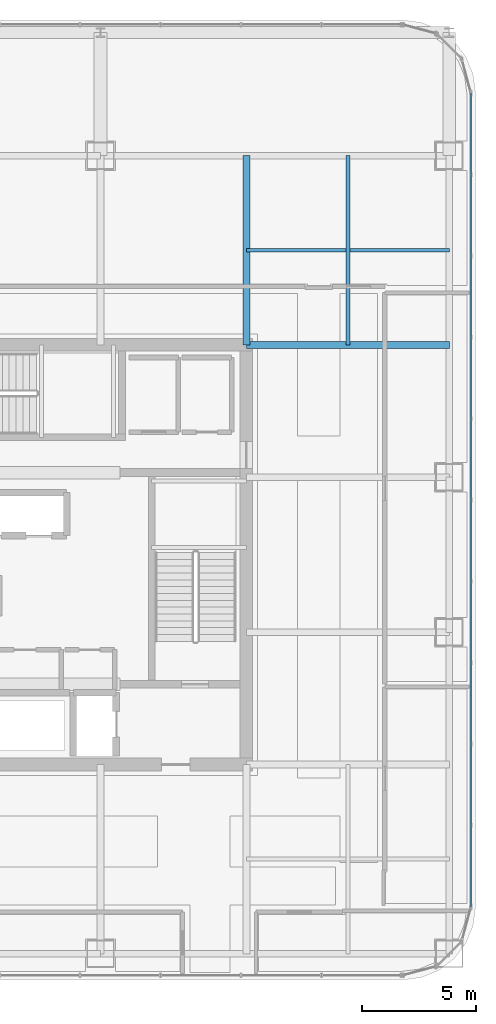
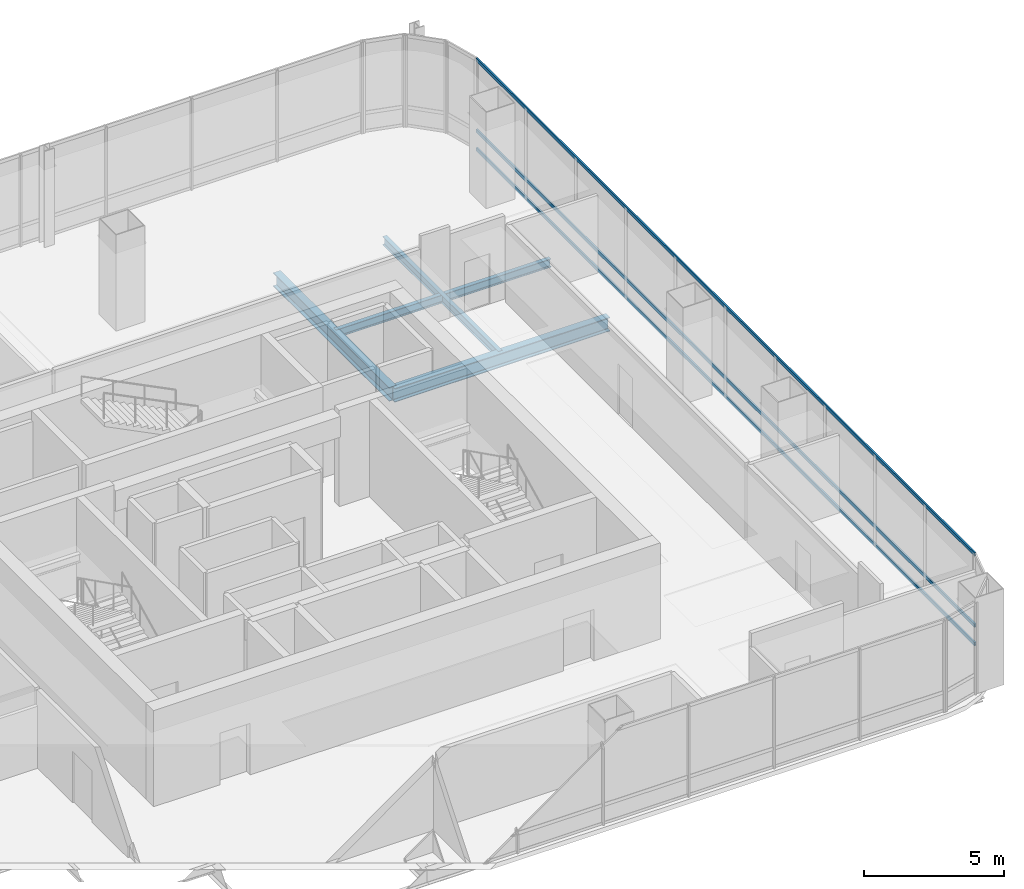
# One storey, part 19 of 41: 4 beams, 3 members, 1 element without a shape of its own.
"""IFC4 building model written with IfcOpenShell, lengths in metres."""

from ifc_helpers import new_model, si_unit, direction, frame, origin, origin_2d, place, context, subcontext, project, spatial, hollow_rectangle, i_section, extrude, material, material_profile, profile_set, type_object, element, aggregate, save


model = new_model("IFC4")

# Units and contexts
model_context = context("Model", 3, precision=1e-05, world=origin(), true_north=direction((0.0, 1.0)))
body_context = subcontext(model_context, "Body", "Model", "MODEL_VIEW")
ifc_project = project(units=[si_unit("LENGTHUNIT", "METRE"), si_unit("AREAUNIT", "SQUARE_METRE"), si_unit("VOLUMEUNIT", "CUBIC_METRE"), si_unit("PLANEANGLEUNIT", "RADIAN"), si_unit("MASSUNIT", "GRAM", prefix="KILO")], contexts=[model_context])

# Site, building, storey
site_placement = place(None, origin())
site = spatial("IfcSite", under=ifc_project, at=site_placement, CompositionType="ELEMENT")
building_placement = place(site_placement, origin())
building = spatial("IfcBuilding", under=site, at=building_placement, Name="Punatoya Terracotta Tower", CompositionType="ELEMENT")
storey_placement = place(building_placement, frame((0.0, 0.0, 309.0)))
storey = spatial("IfcBuildingStorey", under=building, at=storey_placement, Name="L73", CompositionType="ELEMENT", Elevation=309.0)

# Beams
ifc_material_1 = material(Name="Steel S355", Category="steel")
ifc_material_profile_1 = material_profile(ifc_material_1, i_section(OverallWidth=0.300048828125, OverallDepth=0.60009765625, WebThickness=0.015380859375, FlangeThickness=0.030029296875, FilletRadius=0.01806640625, at=origin_2d()))
ifc_profile_set_1 = profile_set([ifc_material_profile_1], Name="Steel S355")
beam_type_1 = type_object("IfcBeamType", Name="BM-PRI-600", PredefinedType="BEAM", material=ifc_profile_set_1)
beam_1_placement = place(storey_placement, frame((10.199951171875, 9.199951171875, -0.5), z_axis=(1.0, 0.0, 0.0), x_axis=(0.0, 1.0, 0.0)))
element("IfcBeam", 1, at=beam_1_placement, inside=storey, type_object=beam_type_1, Name="BM-L73-PR-EN", PredefinedType="BEAM", context=body_context, shape_type="SweptSolid", body=[
    extrude(i_section(OverallWidth=0.300048828125, OverallDepth=0.60009765625, WebThickness=0.015380859375, FlangeThickness=0.030029296875, FilletRadius=0.01806640625, at=origin_2d()), origin(), (0.0, 0.0, 1.0), 8.900146484375),
])
beam_2_placement = place(storey_placement, frame((10.199951171875, 9.199951171875, -0.5), z_axis=(0.0, 1.0, 0.0), x_axis=(-1.0, 0.0, 0.0)))
element("IfcBeam", 2, at=beam_2_placement, inside=storey, type_object=beam_type_1, Name="BM-L73-PR-N4", PredefinedType="BEAM", context=body_context, shape_type="SweptSolid", body=[
    extrude(i_section(OverallWidth=0.300048828125, OverallDepth=0.60009765625, WebThickness=0.015380859375, FlangeThickness=0.030029296875, FilletRadius=0.01806640625, at=origin_2d()), origin(), (0.0, 0.0, 1.0), 8.300048828125),
])
ifc_material_profile_2 = material_profile(ifc_material_1, i_section(OverallWidth=0.169921875, OverallDepth=0.360107421875, WebThickness=0.008056640625, FlangeThickness=0.0126953125, FilletRadius=0.01806640625, at=origin_2d()))
ifc_profile_set_2 = profile_set([ifc_material_profile_2], Name="Steel S355")
beam_type_2 = type_object("IfcBeamType", Name="BM-SEC-360", PredefinedType="JOIST", material=ifc_profile_set_2)
beam_3_placement = place(storey_placement, frame((10.199951171875, 13.35009765625, -0.3798828125), z_axis=(1.0, 0.0, 0.0), x_axis=(0.0, 1.0, 0.0)))
element("IfcBeam", 3, at=beam_3_placement, inside=storey, type_object=beam_type_2, Name="BM-L73-SJN-2", PredefinedType="JOIST", context=body_context, shape_type="SweptSolid", body=[
    extrude(i_section(OverallWidth=0.169921875, OverallDepth=0.360107421875, WebThickness=0.008056640625, FlangeThickness=0.0126953125, FilletRadius=0.01806640625, at=origin_2d()), origin(), (0.0, 0.0, 1.0), 8.900146484375),
])
beam_4_placement = place(storey_placement, frame((14.64990234375, 9.199951171875, -0.3798828125), z_axis=(0.0, 1.0, 0.0), x_axis=(-1.0, 0.0, 0.0)))
element("IfcBeam", 4, at=beam_4_placement, inside=storey, type_object=beam_type_2, Name="BM-L73-SJE-2", PredefinedType="JOIST", context=body_context, shape_type="SweptSolid", body=[
    extrude(i_section(OverallWidth=0.169921875, OverallDepth=0.360107421875, WebThickness=0.008056640625, FlangeThickness=0.0126953125, FilletRadius=0.01806640625, at=origin_2d()), origin(), (0.0, 0.0, 1.0), 8.300048828125),
])

# Curtain wall, members
ifc_material_2 = material(Name="Aluminium 6063-T6 + Double Low-E Glass", Category="aluminium")
curtain_wall_type = type_object("IfcCurtainWallType", Name="CW-M3", PredefinedType="NOTDEFINED", material=ifc_material_2)
curtain_wall_placement = place(storey_placement, origin())
curtain_wall = element("IfcCurtainWall", 5, at=curtain_wall_placement, inside=storey, type_object=curtain_wall_type, Name="L73 Curtain Wall CW-L73-E05-1", PredefinedType="NOTDEFINED")
ifc_material_3 = material(Name="Aluminium 6063-T6", Category="aluminium")
ifc_material_profile_3 = material_profile(ifc_material_3, hollow_rectangle(XDim=0.068115234375, YDim=0.14990234375, WallThickness=0.00390625, at=origin_2d()))
ifc_profile_set_3 = profile_set([ifc_material_profile_3], Name="Aluminium 6063-T6")
member_type = type_object("IfcMemberType", Name="CW-TRN-TYP", PredefinedType="USERDEFINED", material=ifc_profile_set_3)
member_1_placement = place(storey_placement, frame((20.050048828125, -15.43701171875, 0.0400390625), z_axis=(0.0, 1.0, 0.0), x_axis=(-1.0, 0.0, 0.0)))
member_1 = element("IfcMember", 6, at=member_1_placement, type_object=member_type, Name="CW-L73-E05-1 Transom 1", ObjectType="TRANSOM", PredefinedType="USERDEFINED", context=body_context, shape_type="SweptSolid", body=[
    extrude(hollow_rectangle(XDim=0.068115234375, YDim=0.14990234375, WallThickness=0.00390625, at=origin_2d()), origin(), (0.0, 0.0, 1.0), 35.673828125),
])
member_2_placement = place(storey_placement, frame((20.050048828125, -15.43701171875, 0.85009765625), z_axis=(0.0, 1.0, 0.0), x_axis=(-1.0, 0.0, 0.0)))
member_2 = element("IfcMember", 7, at=member_2_placement, type_object=member_type, Name="CW-L73-E05-1 Transom 2", ObjectType="TRANSOM", PredefinedType="USERDEFINED", context=body_context, shape_type="SweptSolid", body=[
    extrude(hollow_rectangle(XDim=0.068115234375, YDim=0.14990234375, WallThickness=0.00390625, at=origin_2d()), origin(), (0.0, 0.0, 1.0), 35.673828125),
])
member_3_placement = place(storey_placement, frame((20.050048828125, -15.43701171875, 3.9599609375), z_axis=(0.0, 1.0, 0.0), x_axis=(-1.0, 0.0, 0.0)))
member_3 = element("IfcMember", 8, at=member_3_placement, type_object=member_type, Name="CW-L73-E05-1 Transom 3", ObjectType="TRANSOM", PredefinedType="USERDEFINED", context=body_context, shape_type="SweptSolid", body=[
    extrude(hollow_rectangle(XDim=0.068115234375, YDim=0.14990234375, WallThickness=0.00390625, at=origin_2d()), origin(), (0.0, 0.0, 1.0), 35.673828125),
])
aggregate(curtain_wall, [member_1, member_2, member_3])

save(model, "model.ifc")
